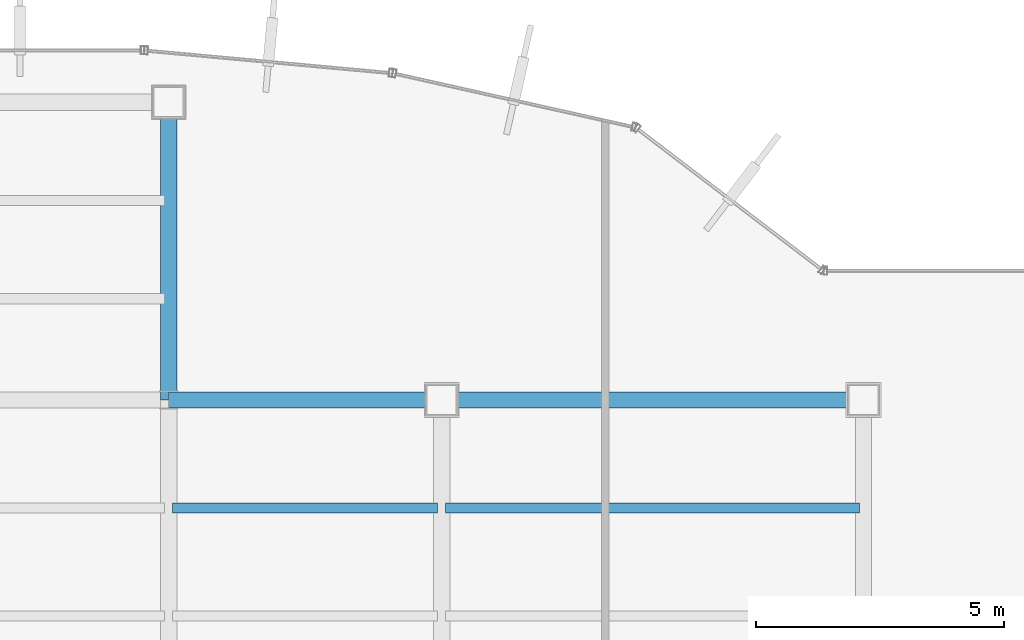
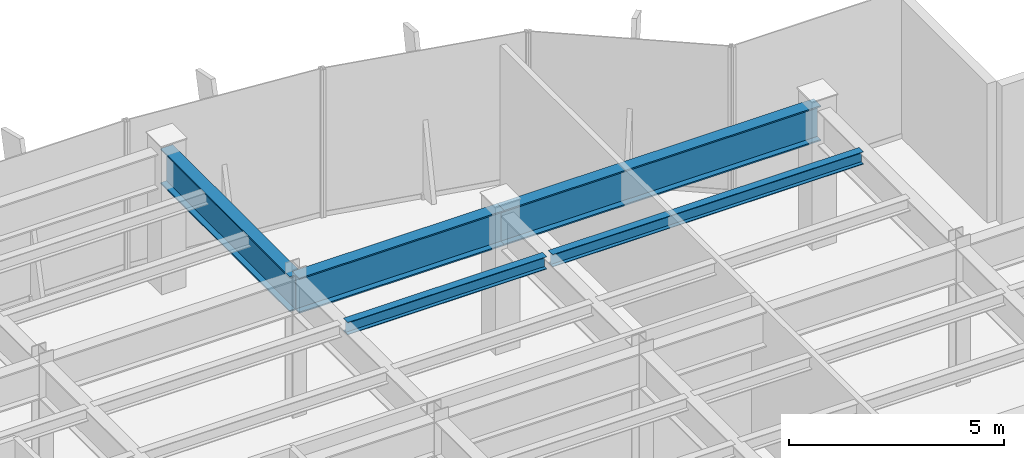
# One storey, part 13 of 26: 5 beams.
"""IFC4 building model written with IfcOpenShell, lengths in metres."""

import ifcopenshell
import ifcopenshell.guid

model = None  # the IFC model being written
_history = None  # IfcOwnerHistory: only IFC2X3 demands one
_inside = {}  # id of a spatial element -> (the spatial element, [elements in it])
_under = {}  # id of a project, library or spatial element -> (it, [spatial elements below it])
_declared = {}  # id of a project -> (the project, [libraries it declares])
_typed = {}  # id of a type object -> (the type object, [elements of that type])
_made_of = {}  # id of a material, layer set ... -> (it, [elements and type objects made of it])


def new_model(schema):
    """Start an empty IFC model of exactly this schema.

    Asked for "IFC4X3", IfcOpenShell would pick the latest addendum, in which some entities
    have other attributes; the version numbers below select the first issue.
    IFC2X3 requires an IfcOwnerHistory on every rooted entity: one is made here for all.
    """
    global model, _history
    if schema == "IFC4X3":
        model = ifcopenshell.file(schema_version=(4, 3, 0, 0))
    else:
        model = ifcopenshell.file(schema=schema)
    _inside.clear()
    _under.clear()
    _declared.clear()
    _typed.clear()
    _made_of.clear()
    _history = None
    if model.schema == "IFC2X3":
        org = make("IfcOrganization", Name="unknown")
        user = make(
            "IfcPersonAndOrganization",
            ThePerson=make("IfcPerson", FamilyName="unknown"),
            TheOrganization=org,
        )
        app = make(
            "IfcApplication",
            ApplicationDeveloper=org,
            Version="unknown",
            ApplicationFullName="unknown",
            ApplicationIdentifier="unknown",
        )
        _history = make(
            "IfcOwnerHistory",
            OwningUser=user,
            OwningApplication=app,
            ChangeAction="ADDED",
            CreationDate=0,
        )
    return model


def make(cls, **values):
    """One entity of the class cls with the attributes given. An attribute that is None is left unset."""
    return model.create_entity(
        cls, **{name: value for name, value in values.items() if value is not None}
    )


def rooted(cls, **values):
    """An entity with a GlobalId (a new one), such as an element, a storey or a relation."""
    return make(cls, GlobalId=ifcopenshell.guid.new(), OwnerHistory=_history, **values)


def si_unit(unit_type, name, prefix=None):
    """IfcSIUnit, for example si_unit("LENGTHUNIT", "METRE", prefix="MILLI")."""
    return make("IfcSIUnit", UnitType=unit_type, Prefix=prefix, Name=name)


def derived_unit(unit_type, elements):
    """IfcDerivedUnit: a product of units, each with its exponent."""
    return make(
        "IfcDerivedUnit",
        Elements=[
            make("IfcDerivedUnitElement", Unit=unit, Exponent=power)
            for unit, power in elements
        ],
        UnitType=unit_type,
    )


def assignment(units):
    """IfcUnitAssignment: the units of a project."""
    return None if units is None else make("IfcUnitAssignment", Units=units)


def point(xyz):
    """IfcCartesianPoint."""
    return None if xyz is None else make("IfcCartesianPoint", Coordinates=xyz)


def direction(xyz):
    """IfcDirection."""
    return None if xyz is None else make("IfcDirection", DirectionRatios=xyz)


def frame(location, z_axis=None, x_axis=None):
    """IfcAxis2Placement3D, a coordinate frame: its origin and axes. An axis left out is left unset."""
    return make(
        "IfcAxis2Placement3D",
        Location=point(location),
        Axis=direction(z_axis),
        RefDirection=direction(x_axis),
    )


def frame_2d(location, x_axis=None):
    """IfcAxis2Placement2D, a coordinate frame in the plane: its origin and x axis."""
    return make(
        "IfcAxis2Placement2D", Location=point(location), RefDirection=direction(x_axis)
    )


def origin():
    """The frame at (0, 0, 0) with its axes left unset."""
    return frame((0.0, 0.0, 0.0))


def origin_2d():
    """The frame at (0, 0) in the plane with its x axis left unset."""
    return frame_2d((0.0, 0.0))


def place(relative_to, where):
    """IfcLocalPlacement: puts the frame where relative to a parent placement (None: the world)."""
    return make(
        "IfcLocalPlacement", PlacementRelTo=relative_to, RelativePlacement=where
    )


def context(
    kind, dimensions, precision=None, world=None, true_north=None, identifier=None
):
    """IfcGeometricRepresentationContext, for example the 3D "Model" context."""
    return make(
        "IfcGeometricRepresentationContext",
        ContextIdentifier=identifier,
        ContextType=kind,
        CoordinateSpaceDimension=dimensions,
        Precision=precision,
        WorldCoordinateSystem=world,
        TrueNorth=true_north,
    )


def subcontext(parent, identifier, kind, view, scale=None):
    """IfcGeometricRepresentationSubContext, for example "Body" below "Model"."""
    return make(
        "IfcGeometricRepresentationSubContext",
        ContextIdentifier=identifier,
        ContextType=kind,
        ParentContext=parent,
        TargetScale=scale,
        TargetView=view,
    )


def project(units=None, contexts=None):
    """IfcProject with its units and contexts."""
    return rooted(
        "IfcProject",
        Name="project",
        RepresentationContexts=contexts,
        UnitsInContext=assignment(units),
    )


def spatial(cls, under=None, at=None, **own):
    """A site, building, storey or space (cls), placed at a placement, below another one or the project."""
    s = rooted(cls, ObjectPlacement=at, **own)
    if under is not None:
        _under.setdefault(under.id(), (under, []))[1].append(s)
    return s


def profile(cls, at=None, kind="AREA", **sizes):
    """A parametric profile (cls). Its sizes go by their IFC names, for example OverallWidth=200.0."""
    return make(cls, ProfileType=kind, Position=at, **sizes)


def i_section(**sizes):
    """IfcIShapeProfileDef."""
    return profile("IfcIShapeProfileDef", **sizes)


def extrude(swept, where, along, depth):
    """IfcExtrudedAreaSolid: the profile swept, set in the frame where, extruded along a direction by depth."""
    return make(
        "IfcExtrudedAreaSolid",
        SweptArea=swept,
        Position=where,
        ExtrudedDirection=direction(along),
        Depth=depth,
    )


def shape(context_of_items, identifier, shape_type, items):
    """IfcShapeRepresentation: the items that make up one representation, for example the "Body"."""
    return make(
        "IfcShapeRepresentation",
        ContextOfItems=context_of_items,
        RepresentationIdentifier=identifier,
        RepresentationType=shape_type,
        Items=items,
    )


def source(mapping_origin, context_of_items, identifier, shape_type, items):
    """IfcRepresentationMap: a shape defined once, which mapped items show again and again."""
    return make(
        "IfcRepresentationMap",
        MappingOrigin=mapping_origin,
        MappedRepresentation=shape(context_of_items, identifier, shape_type, items),
    )


def transform(
    local_origin,
    x_axis=None,
    y_axis=None,
    z_axis=None,
    scale=None,
    scale2=None,
    scale3=None,
    uniform=True,
):
    """IfcCartesianTransformationOperator3D, or its non-uniform kind. x_axis, y_axis, z_axis: its Axis1, 2, 3."""
    if uniform:
        return make(
            "IfcCartesianTransformationOperator3D",
            Axis1=direction(x_axis),
            Axis2=direction(y_axis),
            LocalOrigin=point(local_origin),
            Scale=scale,
            Axis3=direction(z_axis),
        )
    return make(
        "IfcCartesianTransformationOperator3DnonUniform",
        Axis1=direction(x_axis),
        Axis2=direction(y_axis),
        LocalOrigin=point(local_origin),
        Scale=scale,
        Axis3=direction(z_axis),
        Scale2=scale2,
        Scale3=scale3,
    )


def mapped(mapping_source, mapping_target):
    """IfcMappedItem: shows the shape of a source again, moved by a transform."""
    return make(
        "IfcMappedItem", MappingSource=mapping_source, MappingTarget=mapping_target
    )


def material(Name=None, Category=None):
    """IfcMaterial."""
    return make("IfcMaterial", Name=Name, Category=Category)


def material_profile(
    of_material, cross_section, Name=None, Category=None, Priority=None
):
    """IfcMaterialProfile: a cross section and its material."""
    return make(
        "IfcMaterialProfile",
        Name=Name,
        Material=of_material,
        Profile=cross_section,
        Priority=Priority,
        Category=Category,
    )


def profile_set(profiles, Name=None, composite=None):
    """IfcMaterialProfileSet."""
    return make(
        "IfcMaterialProfileSet",
        Name=Name,
        MaterialProfiles=profiles,
        CompositeProfile=composite,
    )


def made_of(thing, what):
    """Note that an element or type object is made of a material, layer set ...; save() writes the relation."""
    if what is not None:
        _made_of.setdefault(what.id(), (what, []))[1].append(thing)
    return thing


def type_object(cls, material=None, **own):
    """A type object (cls), such as IfcWallType, which elements share."""
    return made_of(rooted(cls, **own), material)


def element(
    cls,
    number,
    at=None,
    inside=None,
    cuts=None,
    type_object=None,
    material=None,
    context=None,
    identifier="Body",
    shape_type=None,
    held_by="IfcProductDefinitionShape",
    body=None,
    shapes=None,
    **own,
):
    """One element of the class cls, such as IfcWall. Its Tag is "e" and its number.

    at: its placement. inside: the storey or other place that contains it. cuts: it is an
    opening in that element (IfcRelVoidsElement). A single representation is given by context,
    identifier, shape_type and body (its items); several are given by shapes. held_by: the class
    of the entity that holds the representations. save() writes the other relations.
    """
    e = rooted(cls, Tag="e%d" % number, ObjectPlacement=at, **own)
    if body is not None:
        shapes = [shape(context, identifier, shape_type, body)]
    if shapes is not None:
        e.Representation = make(held_by, Representations=shapes)
    if inside is not None:
        _inside.setdefault(inside.id(), (inside, []))[1].append(e)
    if cuts is not None:
        rooted(
            "IfcRelVoidsElement", RelatingBuildingElement=cuts, RelatedOpeningElement=e
        )
    if type_object is not None:
        _typed.setdefault(type_object.id(), (type_object, []))[1].append(e)
    return made_of(e, material)


def aggregate(whole, parts):
    """IfcRelAggregates: a whole, such as a stair, and the parts it consists of."""
    return rooted("IfcRelAggregates", RelatingObject=whole, RelatedObjects=parts)


def save(model, path):
    """Write the relations noted so far, then the file.

    IfcRelAggregates (storeys below a building ...), IfcRelContainedInSpatialStructure (elements
    in a storey), IfcRelDefinesByType, IfcRelAssociatesMaterial and IfcRelDeclares: one each for
    every whole, place, type object, material and project.
    """
    for whole, parts in _under.values():
        aggregate(whole, parts)
    for where, things in _inside.values():
        rooted(
            "IfcRelContainedInSpatialStructure",
            RelatedElements=things,
            RelatingStructure=where,
        )
    for kind, things in _typed.values():
        rooted("IfcRelDefinesByType", RelatedObjects=things, RelatingType=kind)
    for what, things in _made_of.values():
        rooted("IfcRelAssociatesMaterial", RelatedObjects=things, RelatingMaterial=what)
    for by, libraries in _declared.values():
        rooted("IfcRelDeclares", RelatingContext=by, RelatedDefinitions=libraries)
    model.write(path)


model = new_model("IFC4")

# Units and contexts
model_context = context("Model", 3, precision=1e-05, world=origin(), true_north=direction((0.0, 1.0)))
body_context = subcontext(model_context, "Body", "Model", "MODEL_VIEW")
ifc_project = project(units=[si_unit("LENGTHUNIT", "METRE"), si_unit("AREAUNIT", "SQUARE_METRE"), si_unit("VOLUMEUNIT", "CUBIC_METRE"), si_unit("PLANEANGLEUNIT", "RADIAN"), si_unit("MASSUNIT", "GRAM", prefix="KILO"), derived_unit("THERMALTRANSMITTANCEUNIT", [(si_unit("POWERUNIT", "WATT"), 1), (si_unit("LENGTHUNIT", "METRE"), -2), (si_unit("THERMODYNAMICTEMPERATUREUNIT", "KELVIN"), -1)])], contexts=[model_context])

# Site, building, storey
site_placement = place(None, origin())
site = spatial("IfcSite", under=ifc_project, at=site_placement, CompositionType="ELEMENT")
building_placement = place(site_placement, origin())
building = spatial("IfcBuilding", under=site, at=building_placement, Name="Skarnbrae Concourse Arena and Tower", CompositionType="ELEMENT")
storey_placement = place(building_placement, frame((0.0, 0.0, 184.39990234375)))
storey = spatial("IfcBuildingStorey", under=building, at=storey_placement, Name="L47", CompositionType="ELEMENT", Elevation=184.39990234375)

# Beams
ifc_material = material(Name="Steel CSA G40.21 350W", Category="steel")
ifc_material_profile_1 = material_profile(ifc_material, i_section(OverallWidth=0.327880859375, OverallDepth=1.0, WebThickness=0.02099609375, FlangeThickness=0.03759765625, at=origin_2d()), Name="W1000X371")
ifc_profile_set_1 = profile_set([ifc_material_profile_1], Name="Steel CSA G40.21 350W")
beam_type_1 = type_object("IfcBeamType", Name="BM-XFER-W1000X371", PredefinedType="BEAM", material=ifc_profile_set_1)
shared_shape_1 = source(origin(), body_context, "Body", "SweptSolid", [
    extrude(i_section(OverallWidth=0.327880859375, OverallDepth=1.0, WebThickness=0.02099609375, FlangeThickness=0.03759765625, at=origin_2d()), origin(), (0.0, 0.0, 1.0), 6.0),
])
beam_1_placement = place(storey_placement, frame((28.0, 34.39990234375, 3.400146484375), z_axis=(0.0, 1.0, 0.0), x_axis=(-1.0, 0.0, 0.0)))
element("IfcBeam", 1, at=beam_1_placement, inside=storey, type_object=beam_type_1, Name="L47 Primary N-S girder X28.0-4", PredefinedType="BEAM", context=body_context, shape_type="MappedRepresentation", body=[
    mapped(shared_shape_1, transform((0.0, 0.0, 0.0))),
])
shared_shape_2 = source(origin(), body_context, "Body", "SweptSolid", [
    extrude(i_section(OverallWidth=0.327880859375, OverallDepth=1.0, WebThickness=0.02099609375, FlangeThickness=0.03759765625, at=origin_2d()), origin(), (0.0, 0.0, 1.0), 5.5),
])
beam_2_placement = place(storey_placement, frame((28.0, 34.39990234375, 3.400146484375), z_axis=(1.0, 0.0, 0.0), x_axis=(0.0, 1.0, 0.0)))
element("IfcBeam", 2, at=beam_2_placement, inside=storey, type_object=beam_type_1, Name="L47 Primary E-W girder Y34.4-4", PredefinedType="BEAM", context=body_context, shape_type="MappedRepresentation", body=[
    mapped(shared_shape_2, transform((0.0, 0.0, 0.0))),
])
shared_shape_3 = source(origin(), body_context, "Body", "SweptSolid", [
    extrude(i_section(OverallWidth=0.327880859375, OverallDepth=1.0, WebThickness=0.02099609375, FlangeThickness=0.03759765625, at=origin_2d()), origin(), (0.0, 0.0, 1.0), 8.5),
])
beam_3_placement = place(storey_placement, frame((33.5, 34.39990234375, 3.400146484375), z_axis=(1.0, 0.0, 0.0), x_axis=(0.0, 1.0, 0.0)))
element("IfcBeam", 3, at=beam_3_placement, inside=storey, type_object=beam_type_1, Name="L47 Perimeter spandrel Y34.4-5", PredefinedType="BEAM", context=body_context, shape_type="MappedRepresentation", body=[
    mapped(shared_shape_3, transform((0.0, 0.0, 0.0))),
])
ifc_material_profile_2 = material_profile(ifc_material, i_section(OverallWidth=0.205078125, OverallDepth=0.35400390625, WebThickness=0.009521484375, FlangeThickness=0.016845703125, at=origin_2d()), Name="W360X79")
ifc_profile_set_2 = profile_set([ifc_material_profile_2], Name="Steel CSA G40.21 350W")
beam_type_2 = type_object("IfcBeamType", Name="BM-JOIST-W360X79", PredefinedType="JOIST", material=ifc_profile_set_2)
shared_shape_4 = source(origin(), body_context, "Body", "SweptSolid", [
    extrude(i_section(OverallWidth=0.205078125, OverallDepth=0.35400390625, WebThickness=0.009521484375, FlangeThickness=0.016845703125, at=origin_2d()), origin(), (0.0, 0.0, 1.0), 5.33984375),
])
beam_4_placement = place(storey_placement, frame((28.080078125, 32.221923828125, 3.72314453125), z_axis=(1.0, 0.0, 0.0), x_axis=(0.0, 1.0, 0.0)))
element("IfcBeam", 4, at=beam_4_placement, inside=storey, type_object=beam_type_2, Name="L47 Secondary floor joist 3.2.4", PredefinedType="JOIST", context=body_context, shape_type="MappedRepresentation", body=[
    mapped(shared_shape_4, transform((0.0, 0.0, 0.0))),
])
shared_shape_5 = source(origin(), body_context, "Body", "SweptSolid", [
    extrude(i_section(OverallWidth=0.205078125, OverallDepth=0.35400390625, WebThickness=0.009521484375, FlangeThickness=0.016845703125, at=origin_2d()), origin(), (0.0, 0.0, 1.0), 8.33984375),
])
beam_5_placement = place(storey_placement, frame((33.580078125, 32.221923828125, 3.72314453125), z_axis=(1.0, 0.0, 0.0), x_axis=(0.0, 1.0, 0.0)))
element("IfcBeam", 5, at=beam_5_placement, inside=storey, type_object=beam_type_2, Name="L47 Secondary floor joist 3.2.5", PredefinedType="JOIST", context=body_context, shape_type="MappedRepresentation", body=[
    mapped(shared_shape_5, transform((0.0, 0.0, 0.0))),
])

save(model, "model.ifc")
